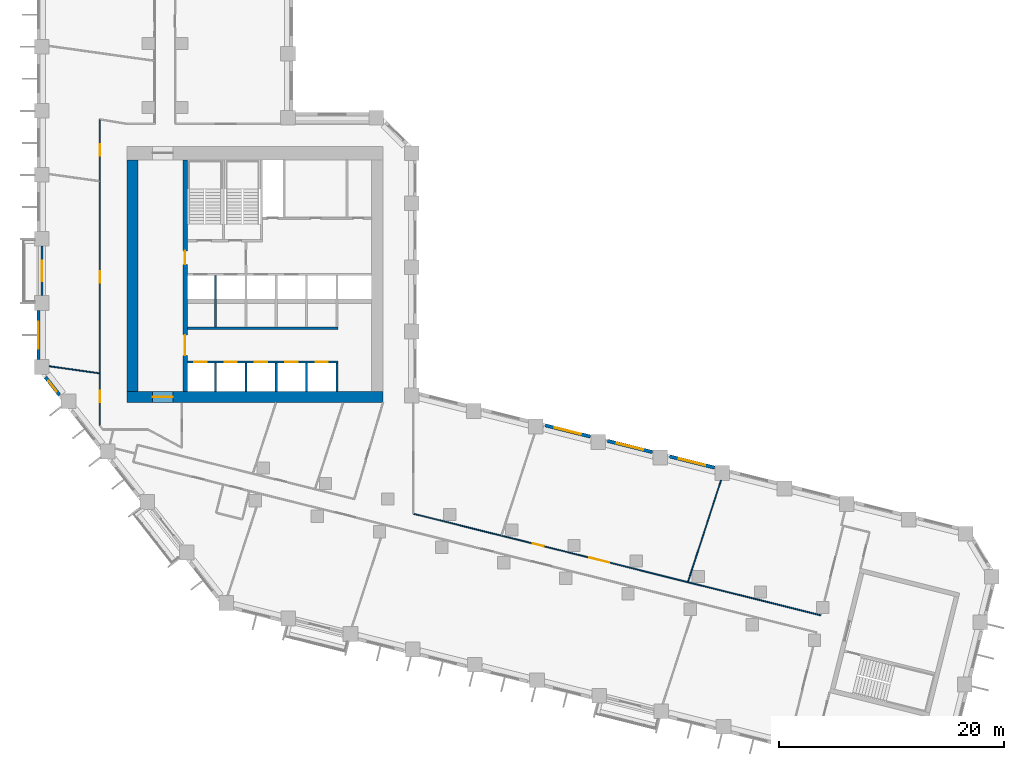
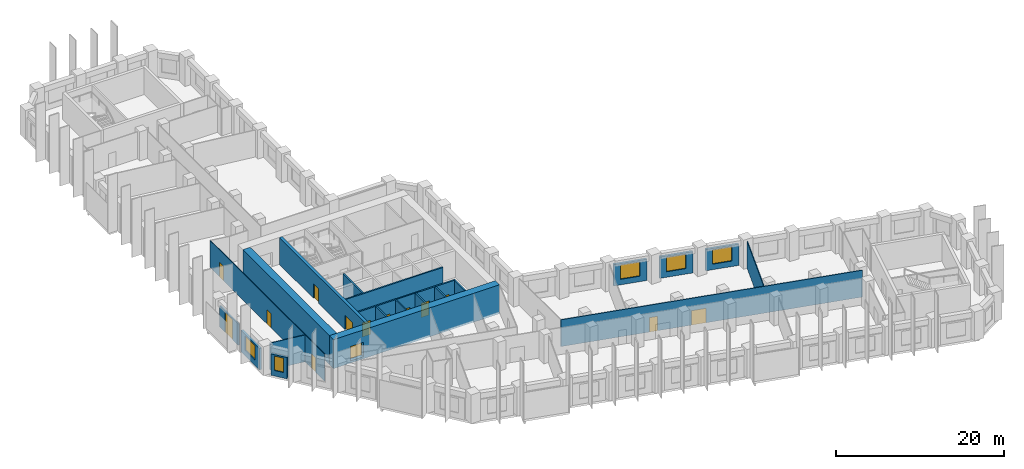
# One storey, part 4 of 11: 21 walls, 14 doors, 5 windows, 19 openings.
"""IFC4 building model written with IfcOpenShell, lengths in metres."""

from ifc_helpers import new_model, si_unit, direction, frame, frame_2d, origin, place, context, subcontext, project, spatial, rectangle, extrude, material, layer, layer_set, type_object, element, fill, save


model = new_model("IFC4")

# Units and contexts
model_context = context("Model", 3, precision=1e-05, world=origin(), true_north=direction((0.0, 1.0)))
body_context = subcontext(model_context, "Body", "Model", "MODEL_VIEW")
ifc_project = project(units=[si_unit("LENGTHUNIT", "METRE"), si_unit("AREAUNIT", "SQUARE_METRE"), si_unit("VOLUMEUNIT", "CUBIC_METRE"), si_unit("PLANEANGLEUNIT", "RADIAN"), si_unit("MASSUNIT", "GRAM", prefix="KILO")], contexts=[model_context])

# Site, building, storey
site_placement = place(None, origin())
site = spatial("IfcSite", under=ifc_project, at=site_placement, CompositionType="ELEMENT")
building_placement = place(site_placement, origin())
building = spatial("IfcBuilding", under=site, at=building_placement, Name="Meshkara Civic Tower", CompositionType="ELEMENT")
storey_placement = place(building_placement, frame((0.0, 0.0, 147.60009765625)))
storey = spatial("IfcBuildingStorey", under=building, at=storey_placement, Name="L33", CompositionType="ELEMENT", Elevation=147.60009765625)

# Wall, opening, door
ifc_material_1 = material(Name="Concrete C70", Category="concrete")
ifc_layer_1 = layer(ifc_material_1, 1.0)
ifc_layer_set_1 = layer_set([ifc_layer_1], Name="Core ring wall 1000 C70")
wall_type_1 = type_object("IfcWallType", Name="Core ring wall 1000 C70", PredefinedType="SHEAR", material=ifc_layer_set_1)
wall_1_placement = place(storey_placement, frame((8.0, 14.60009765625, -0.300048828125), z_axis=(0.0, 0.0, 1.0), x_axis=(1.0, 0.0, 0.0)))
wall_1 = element("IfcWall", 1, at=wall_1_placement, inside=storey, type_object=wall_type_1, Name="L33-C001", PredefinedType="SHEAR", context=body_context, shape_type="SweptSolid", body=[
    extrude(rectangle(XDim=22.800048828125, YDim=1.0, at=frame_2d((11.39990234375, 0.0))), origin(), (0.0, 0.0, 1.0), 4.199951171875),
])
opening_1_placement = place(wall_1_placement, frame((2.300048828125, 0.0, 0.300048828125)))
opening_1 = element("IfcOpeningElement", 2, at=opening_1_placement, cuts=wall_1, Name="Opening L33-K019", PredefinedType="OPENING", context=body_context, shape_type="SweptSolid", body=[
    extrude(rectangle(XDim=1.800048828125, YDim=2.10009765625, at=frame_2d((0.89990234375, 1.050048828125))), frame((0.0, 0.510009765625, 0.0), z_axis=(0.0, -1.0, 0.0), x_axis=(1.0, 0.0, 0.0)), (0.0, 0.0, 1.0), 1.02001953125),
])
ifc_material_2 = material(Name="Fire-rated door leaf in steel frame", Category="steel")
door_type_1 = type_object("IfcDoorType", Name="Core double door 1800 EI 60", OperationType="DOUBLE_DOOR_SINGLE_SWING", PredefinedType="DOOR", material=ifc_material_2)
door_1_placement = place(opening_1_placement, origin())
door_1 = element("IfcDoor", 3, at=door_1_placement, inside=storey, type_object=door_type_1, Name="L33-K019", OperationType="DOUBLE_DOOR_SINGLE_SWING", OverallHeight=2.10009765625, OverallWidth=1.800048828125, PredefinedType="DOOR", context=body_context, shape_type="SweptSolid", body=[
    extrude(rectangle(XDim=1.800048828125, YDim=2.10009765625, at=frame_2d((0.89990234375, 1.050048828125))), frame((0.0, 0.02490234375, 0.0), z_axis=(0.0, -1.0, 0.0), x_axis=(1.0, 0.0, 0.0)), (0.0, 0.0, 1.0), 0.050048828125),
])
fill(opening_1, door_1)

# Wall
wall_2_placement = place(storey_placement, frame((8.5, 15.10009765625, -0.300048828125), z_axis=(0.0, 0.0, 1.0), x_axis=(0.0, 1.0, 0.0)))
element("IfcWall", 4, at=wall_2_placement, inside=storey, type_object=wall_type_1, Name="L33-C003", PredefinedType="SHEAR", context=body_context, shape_type="SweptSolid", body=[
    extrude(rectangle(XDim=20.599853515625, YDim=1.0, at=frame_2d((10.2998046875, 0.0))), origin(), (0.0, 0.0, 1.0), 4.199951171875),
])

# Wall, openings, doors
ifc_material_3 = material(Name="Concrete C70", Category="concrete")
ifc_layer_2 = layer(ifc_material_3, 0.39990234375)
ifc_layer_set_2 = layer_set([ifc_layer_2], Name="Core shear wall 400 C70")
wall_type_2 = type_object("IfcWallType", Name="Core shear wall 400 C70", PredefinedType="SHEAR", material=ifc_layer_set_2)
wall_3_placement = place(storey_placement, frame((13.199951171875, 15.10009765625, 0.0), z_axis=(0.0, 0.0, 1.0), x_axis=(0.0, 1.0, 0.0)))
wall_3 = element("IfcWall", 5, at=wall_3_placement, inside=storey, type_object=wall_type_2, Name="L33-C011", PredefinedType="SHEAR", context=body_context, shape_type="SweptSolid", body=[
    extrude(rectangle(XDim=20.599853515625, YDim=0.39990234375, at=frame_2d((10.2998046875, 0.0))), origin(), (0.0, 0.0, 1.0), 3.89990234375),
])
opening_2_placement = place(wall_3_placement, frame((3.199951171875, 0.0, 0.0)))
opening_2 = element("IfcOpeningElement", 6, at=opening_2_placement, cuts=wall_3, Name="Opening L33-K015", PredefinedType="OPENING", context=body_context, shape_type="SweptSolid", body=[
    extrude(rectangle(XDim=1.800048828125, YDim=2.10009765625, at=frame_2d((0.89990234375, 1.050048828125))), frame((0.0, 0.2099609375, 0.0), z_axis=(0.0, -1.0, 0.0), x_axis=(1.0, 0.0, 0.0)), (0.0, 0.0, 1.0), 0.419921875),
])
opening_3_placement = place(wall_3_placement, frame((11.300048828125, 0.0, 0.0)))
opening_3 = element("IfcOpeningElement", 7, at=opening_3_placement, cuts=wall_3, Name="Opening L33-K016", PredefinedType="OPENING", context=body_context, shape_type="SweptSolid", body=[
    extrude(rectangle(XDim=1.199951171875, YDim=2.10009765625, at=frame_2d((0.60009765625, 1.050048828125))), frame((0.0, 0.2099609375, 0.0), z_axis=(0.0, -1.0, 0.0), x_axis=(1.0, 0.0, 0.0)), (0.0, 0.0, 1.0), 0.419921875),
])
door_2_placement = place(opening_2_placement, origin())
door_2 = element("IfcDoor", 8, at=door_2_placement, inside=storey, type_object=door_type_1, Name="L33-K015", OperationType="DOUBLE_DOOR_SINGLE_SWING", OverallHeight=2.10009765625, OverallWidth=1.800048828125, PredefinedType="DOOR", context=body_context, shape_type="SweptSolid", body=[
    extrude(rectangle(XDim=1.800048828125, YDim=2.10009765625, at=frame_2d((0.89990234375, 1.050048828125))), frame((0.0, 0.02490234375, 0.0), z_axis=(0.0, -1.0, 0.0), x_axis=(1.0, 0.0, 0.0)), (0.0, 0.0, 1.0), 0.050048828125),
])
fill(opening_2, door_2)
ifc_material_4 = material(Name="Fire-rated door leaf in steel frame", Category="steel")
door_type_2 = type_object("IfcDoorType", Name="Fire-fighting lobby door 1200 EI 120", OperationType="SINGLE_SWING_LEFT", PredefinedType="DOOR", material=ifc_material_4)
door_3_placement = place(opening_3_placement, origin())
door_3 = element("IfcDoor", 9, at=door_3_placement, inside=storey, type_object=door_type_2, Name="L33-K016", OperationType="SINGLE_SWING_LEFT", OverallHeight=2.10009765625, OverallWidth=1.199951171875, PredefinedType="DOOR", context=body_context, shape_type="SweptSolid", body=[
    extrude(rectangle(XDim=1.199951171875, YDim=2.10009765625, at=frame_2d((0.60009765625, 1.050048828125))), frame((0.0, 0.02490234375, 0.0), z_axis=(0.0, -1.0, 0.0), x_axis=(1.0, 0.0, 0.0)), (0.0, 0.0, 1.0), 0.050048828125),
])
fill(opening_3, door_3)

ifc_material_5 = material(Name="Corridor wall 100")
ifc_layer_3 = layer(ifc_material_5, 0.10009765625)
ifc_layer_set_3 = layer_set([ifc_layer_3], Name="Corridor wall 100")
wall_type_3 = type_object("IfcWallType", Name="Corridor wall 100", PredefinedType="PARTITIONING", material=ifc_layer_set_3)
wall_4_placement = place(storey_placement, frame((5.60009765625, 12.0439453125, 0.0), z_axis=(0.0, 0.0, 1.0), x_axis=(0.0, 1.0, 0.0)))
wall_4 = element("IfcWall", 10, at=wall_4_placement, inside=storey, type_object=wall_type_3, Name="L33-W003", PredefinedType="PARTITIONING", context=body_context, shape_type="SweptSolid", body=[
    extrude(rectangle(XDim=27.256103515625, YDim=0.10009765625, at=frame_2d((13.6279296875, 0.0))), origin(), (0.0, 0.0, 1.0), 3.89990234375),
])
opening_4_placement = place(wall_4_placement, frame((2.080078125, 0.0, 0.0)))
opening_4 = element("IfcOpeningElement", 11, at=opening_4_placement, cuts=wall_4, Name="Opening L33-D015", PredefinedType="OPENING", context=body_context, shape_type="SweptSolid", body=[
    extrude(rectangle(XDim=1.0, YDim=2.10009765625, at=frame_2d((0.5, 1.050048828125))), frame((0.0, 0.06005859375, 0.0), z_axis=(0.0, -1.0, 0.0), x_axis=(1.0, 0.0, 0.0)), (0.0, 0.0, 1.0), 0.1201171875),
])
opening_5_placement = place(wall_4_placement, frame((12.72900390625, 0.0, 0.0)))
opening_5 = element("IfcOpeningElement", 12, at=opening_5_placement, cuts=wall_4, Name="Opening L33-D017", PredefinedType="OPENING", context=body_context, shape_type="SweptSolid", body=[
    extrude(rectangle(XDim=1.0, YDim=2.10009765625, at=frame_2d((0.5, 1.050048828125))), frame((0.0, 0.06005859375, 0.0), z_axis=(0.0, -1.0, 0.0), x_axis=(1.0, 0.0, 0.0)), (0.0, 0.0, 1.0), 0.1201171875),
])
opening_6_placement = place(wall_4_placement, frame((24.029052734375, 0.0, 0.0)))
opening_6 = element("IfcOpeningElement", 13, at=opening_6_placement, cuts=wall_4, Name="Opening L33-D018", PredefinedType="OPENING", context=body_context, shape_type="SweptSolid", body=[
    extrude(rectangle(XDim=1.0, YDim=2.10009765625, at=frame_2d((0.5, 1.050048828125))), frame((0.0, 0.06005859375, 0.0), z_axis=(0.0, -1.0, 0.0), x_axis=(1.0, 0.0, 0.0)), (0.0, 0.0, 1.0), 0.1201171875),
])
ifc_material_6 = material(Name="Door 1000 x 2100")
door_type_3 = type_object("IfcDoorType", Name="Door 1000 x 2100", OperationType="SINGLE_SWING_LEFT", PredefinedType="DOOR", material=ifc_material_6)
door_4_placement = place(opening_4_placement, origin())
door_4 = element("IfcDoor", 14, at=door_4_placement, inside=storey, type_object=door_type_3, Name="L33-D015", OperationType="SINGLE_SWING_RIGHT", OverallHeight=2.10009765625, OverallWidth=1.0, PredefinedType="DOOR", context=body_context, shape_type="SweptSolid", body=[
    extrude(rectangle(XDim=1.0, YDim=2.10009765625, at=frame_2d((0.5, 1.050048828125))), frame((0.0, 0.02490234375, 0.0), z_axis=(0.0, -1.0, 0.0), x_axis=(1.0, 0.0, 0.0)), (0.0, 0.0, 1.0), 0.050048828125),
])
fill(opening_4, door_4)
door_5_placement = place(opening_5_placement, origin())
door_5 = element("IfcDoor", 15, at=door_5_placement, inside=storey, type_object=door_type_3, Name="L33-D017", OperationType="SINGLE_SWING_RIGHT", OverallHeight=2.10009765625, OverallWidth=1.0, PredefinedType="DOOR", context=body_context, shape_type="SweptSolid", body=[
    extrude(rectangle(XDim=1.0, YDim=2.10009765625, at=frame_2d((0.5, 1.050048828125))), frame((0.0, 0.02490234375, 0.0), z_axis=(0.0, -1.0, 0.0), x_axis=(1.0, 0.0, 0.0)), (0.0, 0.0, 1.0), 0.050048828125),
])
fill(opening_5, door_5)
door_6_placement = place(opening_6_placement, origin())
door_6 = element("IfcDoor", 16, at=door_6_placement, inside=storey, type_object=door_type_3, Name="L33-D018", OperationType="SINGLE_SWING_RIGHT", OverallHeight=2.10009765625, OverallWidth=1.0, PredefinedType="DOOR", context=body_context, shape_type="SweptSolid", body=[
    extrude(rectangle(XDim=1.0, YDim=2.10009765625, at=frame_2d((0.5, 1.050048828125))), frame((0.0, 0.02490234375, 0.0), z_axis=(0.0, -1.0, 0.0), x_axis=(1.0, 0.0, 0.0)), (0.0, 0.0, 1.0), 0.050048828125),
])
fill(opening_6, door_6)

wall_5_placement = place(storey_placement, frame((33.5, 4.2041015625, 0.0), z_axis=(0.0, 0.0, 1.0), x_axis=(0.97029674434, -0.241917812333, 0.0)))
wall_5 = element("IfcWall", 17, at=wall_5_placement, inside=storey, type_object=wall_type_3, Name="L33-W022", PredefinedType="PARTITIONING", context=body_context, shape_type="SweptSolid", body=[
    extrude(rectangle(XDim=37.38134765625, YDim=0.10009765625, at=frame_2d((18.690673828125, 0.0))), origin(), (0.0, 0.0, 1.0), 3.89990234375),
])
opening_7_placement = place(wall_5_placement, frame((10.9609375, 0.0, 0.0)))
opening_7 = element("IfcOpeningElement", 18, at=opening_7_placement, cuts=wall_5, Name="Opening L33-D007", PredefinedType="OPENING", context=body_context, shape_type="SweptSolid", body=[
    extrude(rectangle(XDim=1.0, YDim=2.10009765625, at=frame_2d((0.5, 1.050048828125))), frame((0.0, 0.06005859375, 0.0), z_axis=(0.0, -1.0, 0.0), x_axis=(1.0, 0.0, 0.0)), (0.0, 0.0, 1.0), 0.1201171875),
])
opening_8_placement = place(wall_5_placement, frame((16.160888671875, 0.0, 0.0)))
opening_8 = element("IfcOpeningElement", 19, at=opening_8_placement, cuts=wall_5, Name="Opening L33-D008", PredefinedType="OPENING", context=body_context, shape_type="SweptSolid", body=[
    extrude(rectangle(XDim=1.800048828125, YDim=2.10009765625, at=frame_2d((0.89990234375, 1.050048828125))), frame((0.0, 0.06005859375, 0.0), z_axis=(0.0, -1.0, 0.0), x_axis=(1.0, 0.0, 0.0)), (0.0, 0.0, 1.0), 0.1201171875),
])
door_7_placement = place(opening_7_placement, origin())
door_7 = element("IfcDoor", 20, at=door_7_placement, inside=storey, type_object=door_type_3, Name="L33-D007", OperationType="SINGLE_SWING_LEFT", OverallHeight=2.10009765625, OverallWidth=1.0, PredefinedType="DOOR", context=body_context, shape_type="SweptSolid", body=[
    extrude(rectangle(XDim=1.0, YDim=2.10009765625, at=frame_2d((0.5, 1.050048828125))), frame((0.0, 0.02490234375, 0.0), z_axis=(0.0, -1.0, 0.0), x_axis=(1.0, 0.0, 0.0)), (0.0, 0.0, 1.0), 0.050048828125),
])
fill(opening_7, door_7)
ifc_material_7 = material(Name="Door pair 1800 x 2100")
door_type_4 = type_object("IfcDoorType", Name="Door pair 1800 x 2100", OperationType="SINGLE_SWING_LEFT", PredefinedType="DOOR", material=ifc_material_7)
door_8_placement = place(opening_8_placement, origin())
door_8 = element("IfcDoor", 21, at=door_8_placement, inside=storey, type_object=door_type_4, Name="L33-D008", OperationType="DOUBLE_DOOR_SINGLE_SWING", OverallHeight=2.10009765625, OverallWidth=1.800048828125, PredefinedType="DOOR", context=body_context, shape_type="SweptSolid", body=[
    extrude(rectangle(XDim=1.800048828125, YDim=2.10009765625, at=frame_2d((0.89990234375, 1.050048828125))), frame((0.0, 0.02490234375, 0.0), z_axis=(0.0, -1.0, 0.0), x_axis=(1.0, 0.0, 0.0)), (0.0, 0.0, 1.0), 0.050048828125),
])
fill(opening_8, door_8)

# Wall, opening, window
ifc_material_8 = material(Name="Insulated infill panel with bronze anodised aluminium cladding", Category="aluminium")
ifc_layer_4 = layer(ifc_material_8, 0.300048828125)
ifc_layer_set_4 = layer_set([ifc_layer_4], Name="EXTERNAL INFILL WALL 300")
wall_type_4 = type_object("IfcWallType", Name="EXTERNAL INFILL WALL 300", PredefinedType="SOLIDWALL", material=ifc_layer_set_4)
wall_6_placement = place(storey_placement, frame((60.31103515625, 8.305908203125, 0.0), z_axis=(0.0, 0.0, 1.0), x_axis=(-0.970267747908, 0.242034083076, 0.0)))
wall_6 = element("IfcWall", 22, at=wall_6_placement, inside=storey, type_object=wall_type_4, Name="External wall", PredefinedType="SOLIDWALL", context=body_context, shape_type="SweptSolid", body=[
    extrude(rectangle(XDim=4.12353515625, YDim=0.300048828125, at=frame_2d((2.061767578125, 0.0))), origin(), (0.0, 0.0, 1.0), 3.099853515625),
])
opening_9_placement = place(wall_6_placement, frame((0.862060546875, 0.0, 0.800048828125)))
opening_9 = element("IfcOpeningElement", 23, at=opening_9_placement, cuts=wall_6, Name="Opening W7", PredefinedType="OPENING", context=body_context, shape_type="SweptSolid", body=[
    extrude(rectangle(XDim=2.39990234375, YDim=2.10009765625, at=frame_2d((1.199951171875, 1.050048828125))), frame((0.0, 0.159912109375, 0.0), z_axis=(0.0, -1.0, 0.0), x_axis=(1.0, 0.0, 0.0)), (0.0, 0.0, 1.0), 0.320068359375),
])
ifc_material_9 = material(Name="Tinted double glazing", Category="glass")
window_type_1 = type_object("IfcWindowType", Name="WINDOW 2400x2100", PartitioningType="DOUBLE_PANEL_VERTICAL", PredefinedType="WINDOW", material=ifc_material_9)
window_1_placement = place(opening_9_placement, origin())
window_1 = element("IfcWindow", 24, at=window_1_placement, inside=storey, type_object=window_type_1, Name="Window", OverallHeight=2.10009765625, OverallWidth=2.39990234375, PartitioningType="DOUBLE_PANEL_VERTICAL", PredefinedType="WINDOW", context=body_context, shape_type="SweptSolid", body=[
    extrude(rectangle(XDim=2.39990234375, YDim=2.10009765625, at=frame_2d((1.199951171875, 1.050048828125))), frame((0.0, 0.030029296875, 0.0), z_axis=(0.0, -1.0, 0.0), x_axis=(1.0, 0.0, 0.0)), (0.0, 0.0, 1.0), 0.06005859375),
])
fill(opening_9, window_1)

wall_7_placement = place(storey_placement, frame((54.781005859375, 9.68505859375, 0.0), z_axis=(0.0, 0.0, 1.0), x_axis=(-0.970281616392, 0.241978480223, 0.0)))
wall_7 = element("IfcWall", 25, at=wall_7_placement, inside=storey, type_object=wall_type_4, Name="External wall", PredefinedType="SOLIDWALL", context=body_context, shape_type="SweptSolid", body=[
    extrude(rectangle(XDim=4.12451171875, YDim=0.300048828125, at=frame_2d((2.062255859375, 0.0))), origin(), (0.0, 0.0, 1.0), 3.099853515625),
])
opening_10_placement = place(wall_7_placement, frame((0.862060546875, 0.0, 0.800048828125)))
opening_10 = element("IfcOpeningElement", 26, at=opening_10_placement, cuts=wall_7, Name="Opening W7", PredefinedType="OPENING", context=body_context, shape_type="SweptSolid", body=[
    extrude(rectangle(XDim=2.39990234375, YDim=2.10009765625, at=frame_2d((1.199951171875, 1.050048828125))), frame((0.0, 0.159912109375, 0.0), z_axis=(0.0, -1.0, 0.0), x_axis=(1.0, 0.0, 0.0)), (0.0, 0.0, 1.0), 0.320068359375),
])
window_2_placement = place(opening_10_placement, origin())
window_2 = element("IfcWindow", 27, at=window_2_placement, inside=storey, type_object=window_type_1, Name="Window", OverallHeight=2.10009765625, OverallWidth=2.39990234375, PartitioningType="DOUBLE_PANEL_VERTICAL", PredefinedType="WINDOW", context=body_context, shape_type="SweptSolid", body=[
    extrude(rectangle(XDim=2.39990234375, YDim=2.10009765625, at=frame_2d((1.199951171875, 1.050048828125))), frame((0.0, 0.030029296875, 0.0), z_axis=(0.0, -1.0, 0.0), x_axis=(1.0, 0.0, 0.0)), (0.0, 0.0, 1.0), 0.06005859375),
])
fill(opening_10, window_2)

wall_8_placement = place(storey_placement, frame((49.25, 11.06396484375, 0.0), z_axis=(0.0, 0.0, 1.0), x_axis=(-0.970281616392, 0.241978480223, 0.0)))
wall_8 = element("IfcWall", 28, at=wall_8_placement, inside=storey, type_object=wall_type_4, Name="External wall", PredefinedType="SOLIDWALL", context=body_context, shape_type="SweptSolid", body=[
    extrude(rectangle(XDim=4.12451171875, YDim=0.300048828125, at=frame_2d((2.062255859375, 0.0))), origin(), (0.0, 0.0, 1.0), 3.099853515625),
])
opening_11_placement = place(wall_8_placement, frame((0.862060546875, 0.0, 0.800048828125)))
opening_11 = element("IfcOpeningElement", 29, at=opening_11_placement, cuts=wall_8, Name="Opening W7", PredefinedType="OPENING", context=body_context, shape_type="SweptSolid", body=[
    extrude(rectangle(XDim=2.39990234375, YDim=2.10009765625, at=frame_2d((1.199951171875, 1.050048828125))), frame((0.0, 0.159912109375, 0.0), z_axis=(0.0, -1.0, 0.0), x_axis=(1.0, 0.0, 0.0)), (0.0, 0.0, 1.0), 0.320068359375),
])
window_3_placement = place(opening_11_placement, origin())
window_3 = element("IfcWindow", 30, at=window_3_placement, inside=storey, type_object=window_type_1, Name="Window", OverallHeight=2.10009765625, OverallWidth=2.39990234375, PartitioningType="DOUBLE_PANEL_VERTICAL", PredefinedType="WINDOW", context=body_context, shape_type="SweptSolid", body=[
    extrude(rectangle(XDim=2.39990234375, YDim=2.10009765625, at=frame_2d((1.199951171875, 1.050048828125))), frame((0.0, 0.030029296875, 0.0), z_axis=(0.0, -1.0, 0.0), x_axis=(1.0, 0.0, 0.0)), (0.0, 0.0, 1.0), 0.06005859375),
])
fill(opening_11, window_3)

wall_9_placement = place(storey_placement, frame((0.14990234375, 22.304931640625, 0.0), z_axis=(0.0, 0.0, 1.0), x_axis=(0.0, -1.0, 0.0)))
wall_9 = element("IfcWall", 31, at=wall_9_placement, inside=storey, type_object=wall_type_4, Name="External wall", PredefinedType="SOLIDWALL", context=body_context, shape_type="SweptSolid", body=[
    extrude(rectangle(XDim=4.39990234375, YDim=0.300048828125, at=frame_2d((2.199951171875, 0.0))), origin(), (0.0, 0.0, 1.0), 3.099853515625),
])
opening_12_placement = place(wall_9_placement, frame((1.0, 0.0, 0.800048828125)))
opening_12 = element("IfcOpeningElement", 32, at=opening_12_placement, cuts=wall_9, Name="Opening W7", PredefinedType="OPENING", context=body_context, shape_type="SweptSolid", body=[
    extrude(rectangle(XDim=2.39990234375, YDim=2.10009765625, at=frame_2d((1.199951171875, 1.050048828125))), frame((0.0, 0.159912109375, 0.0), z_axis=(0.0, -1.0, 0.0), x_axis=(1.0, 0.0, 0.0)), (0.0, 0.0, 1.0), 0.320068359375),
])
window_4_placement = place(opening_12_placement, origin())
window_4 = element("IfcWindow", 33, at=window_4_placement, inside=storey, type_object=window_type_1, Name="Window", OverallHeight=2.10009765625, OverallWidth=2.39990234375, PartitioningType="DOUBLE_PANEL_VERTICAL", PredefinedType="WINDOW", context=body_context, shape_type="SweptSolid", body=[
    extrude(rectangle(XDim=2.39990234375, YDim=2.10009765625, at=frame_2d((1.199951171875, 1.050048828125))), frame((0.0, 0.030029296875, 0.0), z_axis=(0.0, -1.0, 0.0), x_axis=(1.0, 0.0, 0.0)), (0.0, 0.0, 1.0), 0.06005859375),
])
fill(opening_12, window_4)

wall_10_placement = place(storey_placement, frame((0.77490234375, 16.35107421875, 0.0), z_axis=(0.0, 0.0, 1.0), x_axis=(0.6157921118, -0.787908671766, 0.0)))
wall_10 = element("IfcWall", 34, at=wall_10_placement, inside=storey, type_object=wall_type_4, Name="External wall", PredefinedType="SOLIDWALL", context=body_context, shape_type="SweptSolid", body=[
    extrude(rectangle(XDim=2.015625, YDim=0.300048828125, at=frame_2d((1.0078125, 0.0))), origin(), (0.0, 0.0, 1.0), 3.099853515625),
])
opening_13_placement = place(wall_10_placement, frame((0.407958984375, 0.0, 0.800048828125)))
opening_13 = element("IfcOpeningElement", 35, at=opening_13_placement, cuts=wall_10, Name="Opening W3", PredefinedType="OPENING", context=body_context, shape_type="SweptSolid", body=[
    extrude(rectangle(XDim=1.199951171875, YDim=2.10009765625, at=frame_2d((0.60009765625, 1.050048828125))), frame((0.0, 0.159912109375, 0.0), z_axis=(0.0, -1.0, 0.0), x_axis=(1.0, 0.0, 0.0)), (0.0, 0.0, 1.0), 0.320068359375),
])
ifc_material_10 = material(Name="Tinted double glazing", Category="glass")
window_type_2 = type_object("IfcWindowType", Name="WINDOW 1200x2100", PartitioningType="SINGLE_PANEL", PredefinedType="WINDOW", material=ifc_material_10)
window_5_placement = place(opening_13_placement, origin())
window_5 = element("IfcWindow", 36, at=window_5_placement, inside=storey, type_object=window_type_2, Name="Window", OverallHeight=2.10009765625, OverallWidth=1.199951171875, PartitioningType="SINGLE_PANEL", PredefinedType="WINDOW", context=body_context, shape_type="SweptSolid", body=[
    extrude(rectangle(XDim=1.199951171875, YDim=2.10009765625, at=frame_2d((0.60009765625, 1.050048828125))), frame((0.0, 0.030029296875, 0.0), z_axis=(0.0, -1.0, 0.0), x_axis=(1.0, 0.0, 0.0)), (0.0, 0.0, 1.0), 0.06005859375),
])
fill(opening_13, window_5)

# Wall, opening, door
ifc_material_11 = material(Name="Insulated infill panel with bronze anodised aluminium cladding", Category="aluminium")
ifc_layer_5 = layer(ifc_material_11, 0.199951171875)
ifc_layer_set_5 = layer_set([ifc_layer_5], Name="LOGGIA BACK WALL 200")
wall_type_5 = type_object("IfcWallType", Name="LOGGIA BACK WALL 200", PredefinedType="SOLIDWALL", material=ifc_layer_set_5)
wall_11_placement = place(storey_placement, frame((0.449951171875, 28.0048828125, 0.0), z_axis=(0.0, 0.0, 1.0), x_axis=(0.0, -1.0, 0.0)))
wall_11 = element("IfcWall", 37, at=wall_11_placement, inside=storey, type_object=wall_type_5, Name="Loggia wall", PredefinedType="SOLIDWALL", context=body_context, shape_type="SweptSolid", body=[
    extrude(rectangle(XDim=4.39990234375, YDim=0.199951171875, at=frame_2d((2.199951171875, 0.0))), origin(), (0.0, 0.0, 1.0), 3.099853515625),
])
opening_14_placement = place(wall_11_placement, frame((1.300048828125, 0.0, 0.0)))
opening_14 = element("IfcOpeningElement", 38, at=opening_14_placement, cuts=wall_11, Name="Opening L33-L002", PredefinedType="OPENING", context=body_context, shape_type="SweptSolid", body=[
    extrude(rectangle(XDim=1.800048828125, YDim=2.89990234375, at=frame_2d((0.89990234375, 1.449951171875))), frame((0.0, 0.10986328125, 0.0), z_axis=(0.0, -1.0, 0.0), x_axis=(1.0, 0.0, 0.0)), (0.0, 0.0, 1.0), 0.219970703125),
])
ifc_material_12 = material(Name="Tinted double glazing", Category="glass")
door_type_5 = type_object("IfcDoorType", Name="LOGGIA DOOR 1800x2900", OperationType="DOUBLE_DOOR_SINGLE_SWING", PredefinedType="DOOR", material=ifc_material_12)
door_9_placement = place(opening_14_placement, origin())
door_9 = element("IfcDoor", 39, at=door_9_placement, inside=storey, type_object=door_type_5, Name="L33-L002", OperationType="DOUBLE_DOOR_SINGLE_SWING", OverallHeight=2.89990234375, OverallWidth=1.800048828125, PredefinedType="DOOR", context=body_context, shape_type="SweptSolid", body=[
    extrude(rectangle(XDim=1.800048828125, YDim=2.89990234375, at=frame_2d((0.89990234375, 1.449951171875))), frame((0.0, 0.02490234375, 0.0), z_axis=(0.0, -1.0, 0.0), x_axis=(1.0, 0.0, 0.0)), (0.0, 0.0, 1.0), 0.050048828125),
])
fill(opening_14, door_9)

# Walls
ifc_material_13 = material(Name="Partition 100")
ifc_layer_6 = layer(ifc_material_13, 0.10009765625)
ifc_layer_set_6 = layer_set([ifc_layer_6], Name="Partition 100")
wall_type_6 = type_object("IfcWallType", Name="Partition 100", PredefinedType="PARTITIONING", material=ifc_layer_set_6)
wall_12_placement = place(storey_placement, frame((5.54296875, 16.700927734375, 0.0), z_axis=(0.0, 0.0, 1.0), x_axis=(-0.990249777372, 0.139303188816, 0.0)))
element("IfcWall", 40, at=wall_12_placement, inside=storey, type_object=wall_type_6, Name="L33-W032", PredefinedType="PARTITIONING", context=body_context, shape_type="SweptSolid", body=[
    extrude(rectangle(XDim=4.486572265625, YDim=0.10009765625, at=frame_2d((2.2431640625, 0.0))), origin(), (0.0, 0.0, 1.0), 3.89990234375),
])
wall_13_placement = place(storey_placement, frame((57.949951171875, -1.8369140625, 0.0), z_axis=(0.0, 0.0, 1.0), x_axis=(0.308936323863, 0.951082723951, 0.0)))
element("IfcWall", 41, at=wall_13_placement, inside=storey, type_object=wall_type_6, Name="L33-W051", PredefinedType="PARTITIONING", context=body_context, shape_type="SweptSolid", body=[
    extrude(rectangle(XDim=9.474365234375, YDim=0.10009765625, at=frame_2d((4.7373046875, 0.0))), origin(), (0.0, 0.0, 1.0), 3.89990234375),
])

# Wall, openings, doors
ifc_material_14 = material(Name="Concrete C40/50", Category="concrete")
ifc_layer_7 = layer(ifc_material_14, 0.199951171875)
ifc_layer_set_7 = layer_set([ifc_layer_7], Name="Shaft wall 200 C40/50")
wall_type_7 = type_object("IfcWallType", Name="Shaft wall 200 C40/50", PredefinedType="SOLIDWALL", material=ifc_layer_set_7)
wall_14_placement = place(storey_placement, frame((13.39990234375, 17.699951171875, 0.0), z_axis=(0.0, 0.0, 1.0), x_axis=(1.0, 0.0, 0.0)))
wall_14 = element("IfcWall", 42, at=wall_14_placement, inside=storey, type_object=wall_type_7, Name="L33-C005", PredefinedType="SOLIDWALL", context=body_context, shape_type="SweptSolid", body=[
    extrude(rectangle(XDim=13.400146484375, YDim=0.199951171875, at=frame_2d((6.7001953125, 0.0))), origin(), (0.0, 0.0, 1.0), 3.89990234375),
])
opening_15_placement = place(wall_14_placement, frame((0.60009765625, 0.0, 0.0)))
opening_15 = element("IfcOpeningElement", 43, at=opening_15_placement, cuts=wall_14, Name="Opening L33-K001", PredefinedType="OPENING", context=body_context, shape_type="SweptSolid", body=[
    extrude(rectangle(XDim=1.10009765625, YDim=2.10009765625, at=frame_2d((0.550048828125, 1.050048828125))), frame((0.0, 0.10986328125, 0.0), z_axis=(0.0, -1.0, 0.0), x_axis=(1.0, 0.0, 0.0)), (0.0, 0.0, 1.0), 0.219970703125),
])
opening_16_placement = place(wall_14_placement, frame((3.300048828125, 0.0, 0.0)))
opening_16 = element("IfcOpeningElement", 44, at=opening_16_placement, cuts=wall_14, Name="Opening L33-K002", PredefinedType="OPENING", context=body_context, shape_type="SweptSolid", body=[
    extrude(rectangle(XDim=1.10009765625, YDim=2.10009765625, at=frame_2d((0.550048828125, 1.050048828125))), frame((0.0, 0.10986328125, 0.0), z_axis=(0.0, -1.0, 0.0), x_axis=(1.0, 0.0, 0.0)), (0.0, 0.0, 1.0), 0.219970703125),
])
opening_17_placement = place(wall_14_placement, frame((6.0, 0.0, 0.0)))
opening_17 = element("IfcOpeningElement", 45, at=opening_17_placement, cuts=wall_14, Name="Opening L33-K003", PredefinedType="OPENING", context=body_context, shape_type="SweptSolid", body=[
    extrude(rectangle(XDim=1.10009765625, YDim=2.10009765625, at=frame_2d((0.550048828125, 1.050048828125))), frame((0.0, 0.10986328125, 0.0), z_axis=(0.0, -1.0, 0.0), x_axis=(1.0, 0.0, 0.0)), (0.0, 0.0, 1.0), 0.219970703125),
])
opening_18_placement = place(wall_14_placement, frame((8.699951171875, 0.0, 0.0)))
opening_18 = element("IfcOpeningElement", 46, at=opening_18_placement, cuts=wall_14, Name="Opening L33-K004", PredefinedType="OPENING", context=body_context, shape_type="SweptSolid", body=[
    extrude(rectangle(XDim=1.10009765625, YDim=2.10009765625, at=frame_2d((0.550048828125, 1.050048828125))), frame((0.0, 0.10986328125, 0.0), z_axis=(0.0, -1.0, 0.0), x_axis=(1.0, 0.0, 0.0)), (0.0, 0.0, 1.0), 0.219970703125),
])
opening_19_placement = place(wall_14_placement, frame((11.39990234375, 0.0, 0.0)))
opening_19 = element("IfcOpeningElement", 47, at=opening_19_placement, cuts=wall_14, Name="Opening L33-K005", PredefinedType="OPENING", context=body_context, shape_type="SweptSolid", body=[
    extrude(rectangle(XDim=1.10009765625, YDim=2.10009765625, at=frame_2d((0.550048828125, 1.050048828125))), frame((0.0, 0.10986328125, 0.0), z_axis=(0.0, -1.0, 0.0), x_axis=(1.0, 0.0, 0.0)), (0.0, 0.0, 1.0), 0.219970703125),
])
ifc_material_15 = material(Name="Stainless steel landing door", Category="steel")
door_type_6 = type_object("IfcDoorType", Name="Lift landing door 1100", OperationType="SLIDING_TO_LEFT", PredefinedType="DOOR", material=ifc_material_15)
door_10_placement = place(opening_15_placement, origin())
door_10 = element("IfcDoor", 48, at=door_10_placement, inside=storey, type_object=door_type_6, Name="L33-K001", OperationType="SLIDING_TO_LEFT", OverallHeight=2.10009765625, OverallWidth=1.10009765625, PredefinedType="DOOR", context=body_context, shape_type="SweptSolid", body=[
    extrude(rectangle(XDim=1.10009765625, YDim=2.10009765625, at=frame_2d((0.550048828125, 1.050048828125))), frame((0.0, 0.02490234375, 0.0), z_axis=(0.0, -1.0, 0.0), x_axis=(1.0, 0.0, 0.0)), (0.0, 0.0, 1.0), 0.050048828125),
])
fill(opening_15, door_10)
door_11_placement = place(opening_16_placement, origin())
door_11 = element("IfcDoor", 49, at=door_11_placement, inside=storey, type_object=door_type_6, Name="L33-K002", OperationType="SLIDING_TO_LEFT", OverallHeight=2.10009765625, OverallWidth=1.10009765625, PredefinedType="DOOR", context=body_context, shape_type="SweptSolid", body=[
    extrude(rectangle(XDim=1.10009765625, YDim=2.10009765625, at=frame_2d((0.550048828125, 1.050048828125))), frame((0.0, 0.02490234375, 0.0), z_axis=(0.0, -1.0, 0.0), x_axis=(1.0, 0.0, 0.0)), (0.0, 0.0, 1.0), 0.050048828125),
])
fill(opening_16, door_11)
door_12_placement = place(opening_17_placement, origin())
door_12 = element("IfcDoor", 50, at=door_12_placement, inside=storey, type_object=door_type_6, Name="L33-K003", OperationType="SLIDING_TO_LEFT", OverallHeight=2.10009765625, OverallWidth=1.10009765625, PredefinedType="DOOR", context=body_context, shape_type="SweptSolid", body=[
    extrude(rectangle(XDim=1.10009765625, YDim=2.10009765625, at=frame_2d((0.550048828125, 1.050048828125))), frame((0.0, 0.02490234375, 0.0), z_axis=(0.0, -1.0, 0.0), x_axis=(1.0, 0.0, 0.0)), (0.0, 0.0, 1.0), 0.050048828125),
])
fill(opening_17, door_12)
door_13_placement = place(opening_18_placement, origin())
door_13 = element("IfcDoor", 51, at=door_13_placement, inside=storey, type_object=door_type_6, Name="L33-K004", OperationType="SLIDING_TO_LEFT", OverallHeight=2.10009765625, OverallWidth=1.10009765625, PredefinedType="DOOR", context=body_context, shape_type="SweptSolid", body=[
    extrude(rectangle(XDim=1.10009765625, YDim=2.10009765625, at=frame_2d((0.550048828125, 1.050048828125))), frame((0.0, 0.02490234375, 0.0), z_axis=(0.0, -1.0, 0.0), x_axis=(1.0, 0.0, 0.0)), (0.0, 0.0, 1.0), 0.050048828125),
])
fill(opening_18, door_13)
door_14_placement = place(opening_19_placement, origin())
door_14 = element("IfcDoor", 52, at=door_14_placement, inside=storey, type_object=door_type_6, Name="L33-K005", OperationType="SLIDING_TO_LEFT", OverallHeight=2.10009765625, OverallWidth=1.10009765625, PredefinedType="DOOR", context=body_context, shape_type="SweptSolid", body=[
    extrude(rectangle(XDim=1.10009765625, YDim=2.10009765625, at=frame_2d((0.550048828125, 1.050048828125))), frame((0.0, 0.02490234375, 0.0), z_axis=(0.0, -1.0, 0.0), x_axis=(1.0, 0.0, 0.0)), (0.0, 0.0, 1.0), 0.050048828125),
])
fill(opening_19, door_14)

# Walls
wall_15_placement = place(storey_placement, frame((13.39990234375, 20.699951171875, 0.0), z_axis=(0.0, 0.0, 1.0), x_axis=(1.0, 0.0, 0.0)))
element("IfcWall", 53, at=wall_15_placement, inside=storey, type_object=wall_type_7, Name="L33-C006", PredefinedType="SOLIDWALL", context=body_context, shape_type="SweptSolid", body=[
    extrude(rectangle(XDim=13.400146484375, YDim=0.199951171875, at=frame_2d((6.7001953125, 0.0))), origin(), (0.0, 0.0, 1.0), 3.89990234375),
])
wall_16_placement = place(storey_placement, frame((15.89990234375, 15.10009765625, 0.0), z_axis=(0.0, 0.0, 1.0), x_axis=(0.0, 1.0, 0.0)))
element("IfcWall", 54, at=wall_16_placement, inside=storey, type_object=wall_type_7, Name="L33-C012", PredefinedType="SOLIDWALL", context=body_context, shape_type="SweptSolid", body=[
    extrude(rectangle(XDim=2.5, YDim=0.199951171875, at=frame_2d((1.25, 0.0))), origin(), (0.0, 0.0, 1.0), 3.89990234375),
])
wall_17_placement = place(storey_placement, frame((15.89990234375, 20.800048828125, 0.0), z_axis=(0.0, 0.0, 1.0), x_axis=(0.0, 1.0, 0.0)))
element("IfcWall", 55, at=wall_17_placement, inside=storey, type_object=wall_type_7, Name="L33-C013", PredefinedType="SOLIDWALL", context=body_context, shape_type="SweptSolid", body=[
    extrude(rectangle(XDim=4.599853515625, YDim=0.199951171875, at=frame_2d((2.2998046875, 0.0))), origin(), (0.0, 0.0, 1.0), 3.89990234375),
])
for number, where, z_axis, x_axis, name in (
    (56, (18.60009765625, 15.10009765625, 0.0), (0.0, 0.0, 1.0), (0.0, 1.0, 0.0), "L33-C015"),
    (57, (21.300048828125, 15.10009765625, 0.0), (0.0, 0.0, 1.0), (0.0, 1.0, 0.0), "L33-C018"),
    (58, (24.0, 15.10009765625, 0.0), (0.0, 0.0, 1.0), (0.0, 1.0, 0.0), "L33-C021"),
    (59, (26.699951171875, 15.10009765625, 0.0), (0.0, 0.0, 1.0), (0.0, 1.0, 0.0), "L33-C023"),
):
    element("IfcWall", number, at=place(storey_placement, frame(where, z_axis=z_axis, x_axis=x_axis)), inside=storey, type_object=wall_type_7, Name=name, PredefinedType="SOLIDWALL", context=body_context, shape_type="SweptSolid", body=[
        extrude(rectangle(XDim=2.5, YDim=0.199951171875, at=frame_2d((1.25, 0.0))), origin(), (0.0, 0.0, 1.0), 3.89990234375),
    ])

save(model, "model.ifc")
